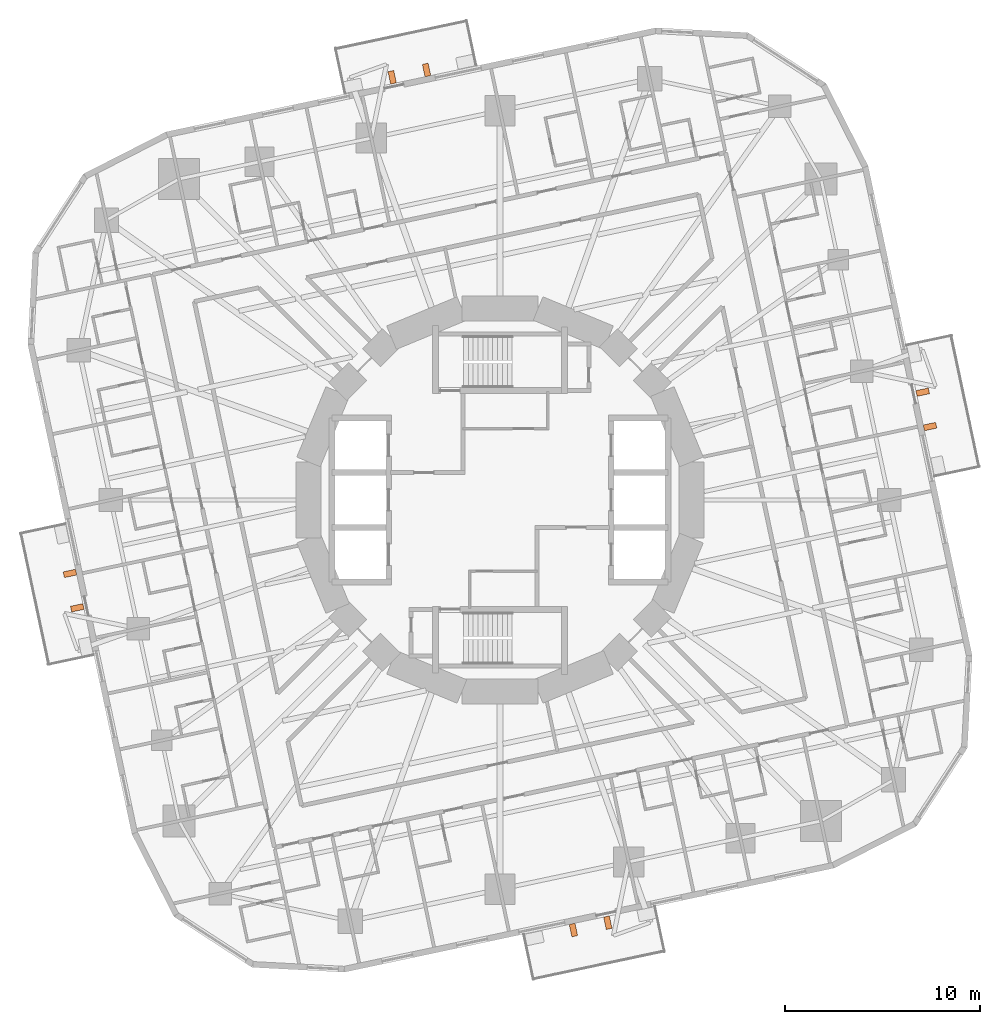
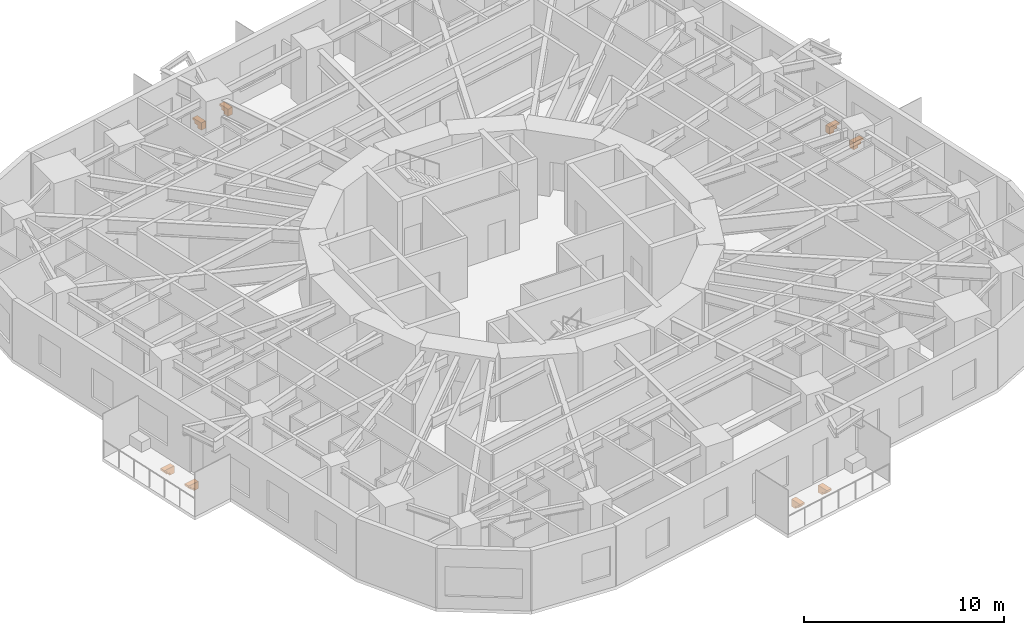
# One storey, part 14 of 14: 8 proxies.
"""IFC4 building model written with IfcOpenShell, lengths in metres."""

from ifc_helpers import new_model, si_unit, direction, frame, origin, place, context, subcontext, project, spatial, polyline, outline, extrude, material, type_object, element, save


model = new_model("IFC4")

# Units and contexts
model_context = context("Model", 3, precision=1e-05, world=origin(), true_north=direction((0.0, 1.0)))
body_context = subcontext(model_context, "Body", "Model", "MODEL_VIEW")
ifc_project = project(units=[si_unit("LENGTHUNIT", "METRE"), si_unit("AREAUNIT", "SQUARE_METRE"), si_unit("VOLUMEUNIT", "CUBIC_METRE"), si_unit("PLANEANGLEUNIT", "RADIAN"), si_unit("MASSUNIT", "GRAM", prefix="KILO")], contexts=[model_context])

# Site, building, storey
site_placement = place(None, origin())
site = spatial("IfcSite", under=ifc_project, at=site_placement, CompositionType="ELEMENT")
building_placement = place(site_placement, origin())
building = spatial("IfcBuilding", under=site, at=building_placement, Name="Nakasero Lantern House", CompositionType="ELEMENT")
storey_placement = place(building_placement, frame((0.0, 0.0, 128.10009765625)))
storey = spatial("IfcBuildingStorey", under=building, at=storey_placement, Name="L31", CompositionType="ELEMENT", Elevation=128.10009765625)

# Proxies
ifc_material = material(Name="Concrete C40/50 precast", Category="concrete")
building_element_proxy_type = type_object("IfcBuildingElementProxyType", Name="Balcony bracket 300", PredefinedType="USERDEFINED", material=ifc_material)
for number, where, z_axis, x_axis, name in (
    (1, (21.706298828125, 3.693603515625, -0.2001953125), (0.0, 0.0, 1.0), (0.978147601, 0.207911691, 0.0), "Balcony bracket L31 0A"),
    (2, (21.33203125, 5.454345703125, -0.2001953125), (0.0, 0.0, 1.0), (0.978147601, 0.207911691, 0.0), "Balcony bracket L31 0B"),
    (3, (-3.693603515625, 21.706298828125, -0.2001953125), (0.0, 0.0, 1.0), (-0.207911691, 0.978147601, 0.0), "Balcony bracket L31 1A"),
    (4, (-5.454345703125, 21.33203125, -0.2001953125), (0.0, 0.0, 1.0), (-0.207911691, 0.978147601, 0.0), "Balcony bracket L31 1B"),
    (5, (-21.706298828125, -3.693603515625, -0.2001953125), (0.0, 0.0, 1.0), (-0.978147601, -0.207911691, 0.0), "Balcony bracket L31 2A"),
    (6, (-21.33203125, -5.454345703125, -0.2001953125), (0.0, 0.0, 1.0), (-0.978147601, -0.207911691, 0.0), "Balcony bracket L31 2B"),
    (7, (3.693603515625, -21.706298828125, -0.2001953125), (0.0, 0.0, 1.0), (0.207911691, -0.978147601, 0.0), "Balcony bracket L31 3A"),
    (8, (5.454345703125, -21.33203125, -0.2001953125), (0.0, 0.0, 1.0), (0.207911691, -0.978147601, 0.0), "Balcony bracket L31 3B"),
):
    element("IfcBuildingElementProxy", number, at=place(storey_placement, frame(where, z_axis=z_axis, x_axis=x_axis)), inside=storey, type_object=building_element_proxy_type, Name=name, ObjectType="BALCONY BRACKET", PredefinedType="USERDEFINED", context=body_context, shape_type="SweptSolid", body=[
        extrude(outline(polyline([(0.0, 0.0), (0.64990234375, 0.0), (0.64990234375, -0.1201171875), (0.5, -0.1201171875), (0.5, -0.280029296875), (0.300048828125, -0.280029296875), (0.300048828125, -0.43994140625), (0.0, -0.43994140625), (0.0, 0.0)])), frame((0.0, 0.14990234375, 0.0), z_axis=(0.0, -1.0, 0.0), x_axis=(1.0, 0.0, 0.0)), (0.0, 0.0, 1.0), 0.300048828125),
    ])

save(model, "model.ifc")
